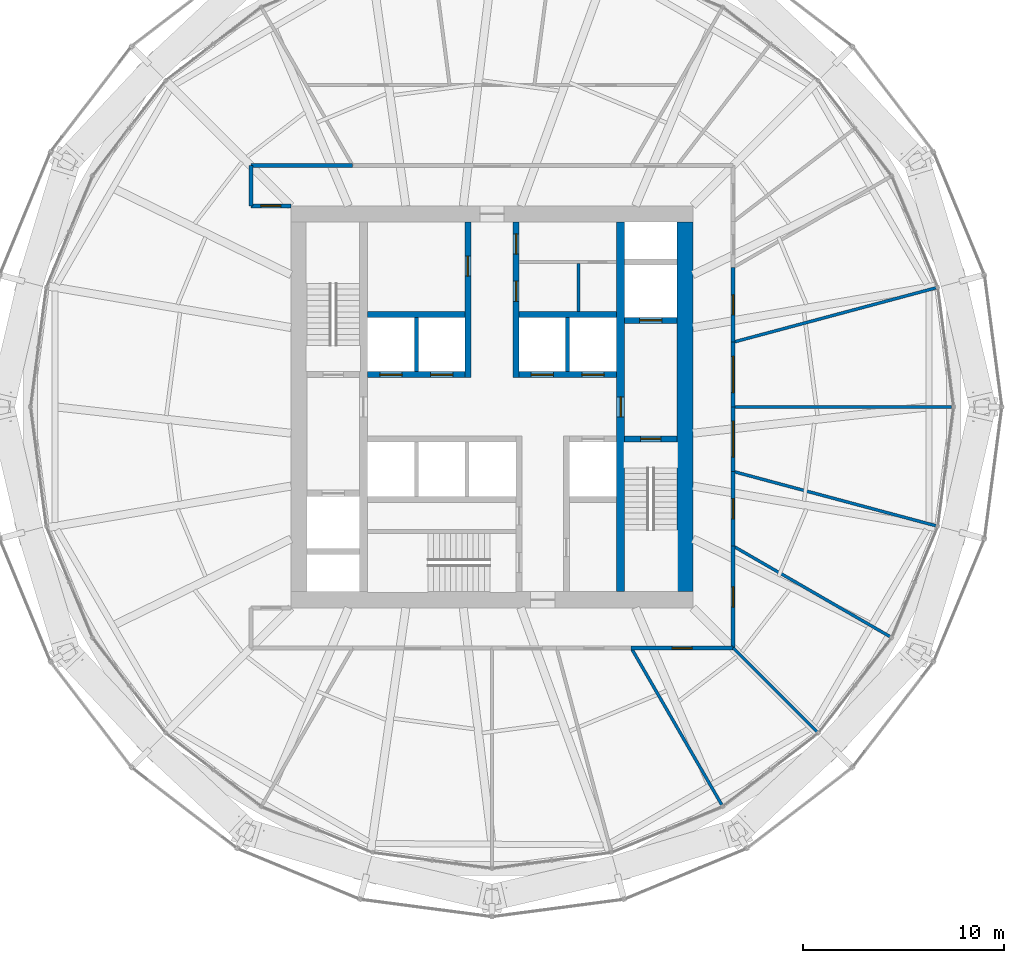
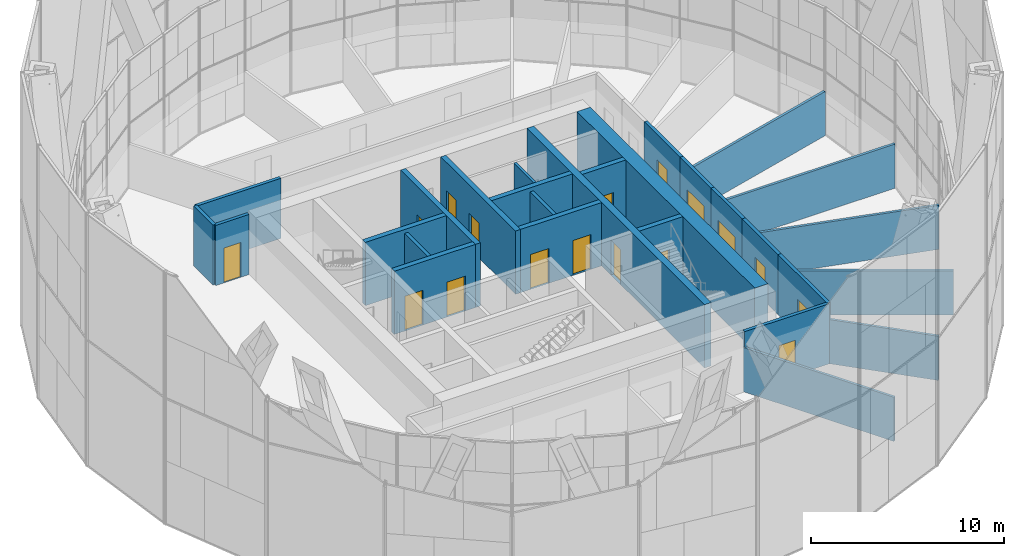
# One storey, part 20 of 22: 28 walls, 17 doors, 17 openings.
"""IFC4 building model written with IfcOpenShell, lengths in metres."""

import ifcopenshell
import ifcopenshell.guid

model = None  # the IFC model being written
_history = None  # IfcOwnerHistory: only IFC2X3 demands one
_inside = {}  # id of a spatial element -> (the spatial element, [elements in it])
_under = {}  # id of a project, library or spatial element -> (it, [spatial elements below it])
_declared = {}  # id of a project -> (the project, [libraries it declares])
_typed = {}  # id of a type object -> (the type object, [elements of that type])
_made_of = {}  # id of a material, layer set ... -> (it, [elements and type objects made of it])


def new_model(schema):
    """Start an empty IFC model of exactly this schema.

    Asked for "IFC4X3", IfcOpenShell would pick the latest addendum, in which some entities
    have other attributes; the version numbers below select the first issue.
    IFC2X3 requires an IfcOwnerHistory on every rooted entity: one is made here for all.
    """
    global model, _history
    if schema == "IFC4X3":
        model = ifcopenshell.file(schema_version=(4, 3, 0, 0))
    else:
        model = ifcopenshell.file(schema=schema)
    _inside.clear()
    _under.clear()
    _declared.clear()
    _typed.clear()
    _made_of.clear()
    _history = None
    if model.schema == "IFC2X3":
        org = make("IfcOrganization", Name="unknown")
        user = make(
            "IfcPersonAndOrganization",
            ThePerson=make("IfcPerson", FamilyName="unknown"),
            TheOrganization=org,
        )
        app = make(
            "IfcApplication",
            ApplicationDeveloper=org,
            Version="unknown",
            ApplicationFullName="unknown",
            ApplicationIdentifier="unknown",
        )
        _history = make(
            "IfcOwnerHistory",
            OwningUser=user,
            OwningApplication=app,
            ChangeAction="ADDED",
            CreationDate=0,
        )
    return model


def make(cls, **values):
    """One entity of the class cls with the attributes given. An attribute that is None is left unset."""
    return model.create_entity(
        cls, **{name: value for name, value in values.items() if value is not None}
    )


def rooted(cls, **values):
    """An entity with a GlobalId (a new one), such as an element, a storey or a relation."""
    return make(cls, GlobalId=ifcopenshell.guid.new(), OwnerHistory=_history, **values)


def si_unit(unit_type, name, prefix=None):
    """IfcSIUnit, for example si_unit("LENGTHUNIT", "METRE", prefix="MILLI")."""
    return make("IfcSIUnit", UnitType=unit_type, Prefix=prefix, Name=name)


def assignment(units):
    """IfcUnitAssignment: the units of a project."""
    return None if units is None else make("IfcUnitAssignment", Units=units)


def point(xyz):
    """IfcCartesianPoint."""
    return None if xyz is None else make("IfcCartesianPoint", Coordinates=xyz)


def direction(xyz):
    """IfcDirection."""
    return None if xyz is None else make("IfcDirection", DirectionRatios=xyz)


def frame(location, z_axis=None, x_axis=None):
    """IfcAxis2Placement3D, a coordinate frame: its origin and axes. An axis left out is left unset."""
    return make(
        "IfcAxis2Placement3D",
        Location=point(location),
        Axis=direction(z_axis),
        RefDirection=direction(x_axis),
    )


def frame_2d(location, x_axis=None):
    """IfcAxis2Placement2D, a coordinate frame in the plane: its origin and x axis."""
    return make(
        "IfcAxis2Placement2D", Location=point(location), RefDirection=direction(x_axis)
    )


def origin():
    """The frame at (0, 0, 0) with its axes left unset."""
    return frame((0.0, 0.0, 0.0))


def place(relative_to, where):
    """IfcLocalPlacement: puts the frame where relative to a parent placement (None: the world)."""
    return make(
        "IfcLocalPlacement", PlacementRelTo=relative_to, RelativePlacement=where
    )


def context(
    kind, dimensions, precision=None, world=None, true_north=None, identifier=None
):
    """IfcGeometricRepresentationContext, for example the 3D "Model" context."""
    return make(
        "IfcGeometricRepresentationContext",
        ContextIdentifier=identifier,
        ContextType=kind,
        CoordinateSpaceDimension=dimensions,
        Precision=precision,
        WorldCoordinateSystem=world,
        TrueNorth=true_north,
    )


def subcontext(parent, identifier, kind, view, scale=None):
    """IfcGeometricRepresentationSubContext, for example "Body" below "Model"."""
    return make(
        "IfcGeometricRepresentationSubContext",
        ContextIdentifier=identifier,
        ContextType=kind,
        ParentContext=parent,
        TargetScale=scale,
        TargetView=view,
    )


def project(units=None, contexts=None):
    """IfcProject with its units and contexts."""
    return rooted(
        "IfcProject",
        Name="project",
        RepresentationContexts=contexts,
        UnitsInContext=assignment(units),
    )


def spatial(cls, under=None, at=None, **own):
    """A site, building, storey or space (cls), placed at a placement, below another one or the project."""
    s = rooted(cls, ObjectPlacement=at, **own)
    if under is not None:
        _under.setdefault(under.id(), (under, []))[1].append(s)
    return s


def profile(cls, at=None, kind="AREA", **sizes):
    """A parametric profile (cls). Its sizes go by their IFC names, for example OverallWidth=200.0."""
    return make(cls, ProfileType=kind, Position=at, **sizes)


def rectangle(**sizes):
    """IfcRectangleProfileDef."""
    return profile("IfcRectangleProfileDef", **sizes)


def extrude(swept, where, along, depth):
    """IfcExtrudedAreaSolid: the profile swept, set in the frame where, extruded along a direction by depth."""
    return make(
        "IfcExtrudedAreaSolid",
        SweptArea=swept,
        Position=where,
        ExtrudedDirection=direction(along),
        Depth=depth,
    )


def shape(context_of_items, identifier, shape_type, items):
    """IfcShapeRepresentation: the items that make up one representation, for example the "Body"."""
    return make(
        "IfcShapeRepresentation",
        ContextOfItems=context_of_items,
        RepresentationIdentifier=identifier,
        RepresentationType=shape_type,
        Items=items,
    )


def material(Name=None, Category=None):
    """IfcMaterial."""
    return make("IfcMaterial", Name=Name, Category=Category)


def layer(
    of_material, thickness, ventilated=None, Name=None, Category=None, Priority=None
):
    """IfcMaterialLayer: one layer of a wall or slab, of a material (None: an air gap)."""
    return make(
        "IfcMaterialLayer",
        Material=of_material,
        LayerThickness=thickness,
        IsVentilated=ventilated,
        Name=Name,
        Category=Category,
        Priority=Priority,
    )


def layer_set(layers, Name=None):
    """IfcMaterialLayerSet."""
    return make("IfcMaterialLayerSet", MaterialLayers=layers, LayerSetName=Name)


def made_of(thing, what):
    """Note that an element or type object is made of a material, layer set ...; save() writes the relation."""
    if what is not None:
        _made_of.setdefault(what.id(), (what, []))[1].append(thing)
    return thing


def type_object(cls, material=None, **own):
    """A type object (cls), such as IfcWallType, which elements share."""
    return made_of(rooted(cls, **own), material)


def element(
    cls,
    number,
    at=None,
    inside=None,
    cuts=None,
    type_object=None,
    material=None,
    context=None,
    identifier="Body",
    shape_type=None,
    held_by="IfcProductDefinitionShape",
    body=None,
    shapes=None,
    **own,
):
    """One element of the class cls, such as IfcWall. Its Tag is "e" and its number.

    at: its placement. inside: the storey or other place that contains it. cuts: it is an
    opening in that element (IfcRelVoidsElement). A single representation is given by context,
    identifier, shape_type and body (its items); several are given by shapes. held_by: the class
    of the entity that holds the representations. save() writes the other relations.
    """
    e = rooted(cls, Tag="e%d" % number, ObjectPlacement=at, **own)
    if body is not None:
        shapes = [shape(context, identifier, shape_type, body)]
    if shapes is not None:
        e.Representation = make(held_by, Representations=shapes)
    if inside is not None:
        _inside.setdefault(inside.id(), (inside, []))[1].append(e)
    if cuts is not None:
        rooted(
            "IfcRelVoidsElement", RelatingBuildingElement=cuts, RelatedOpeningElement=e
        )
    if type_object is not None:
        _typed.setdefault(type_object.id(), (type_object, []))[1].append(e)
    return made_of(e, material)


def fill(opening, filler):
    """IfcRelFillsElement: the door or window that sits in an opening."""
    return rooted(
        "IfcRelFillsElement",
        RelatingOpeningElement=opening,
        RelatedBuildingElement=filler,
    )


def aggregate(whole, parts):
    """IfcRelAggregates: a whole, such as a stair, and the parts it consists of."""
    return rooted("IfcRelAggregates", RelatingObject=whole, RelatedObjects=parts)


def save(model, path):
    """Write the relations noted so far, then the file.

    IfcRelAggregates (storeys below a building ...), IfcRelContainedInSpatialStructure (elements
    in a storey), IfcRelDefinesByType, IfcRelAssociatesMaterial and IfcRelDeclares: one each for
    every whole, place, type object, material and project.
    """
    for whole, parts in _under.values():
        aggregate(whole, parts)
    for where, things in _inside.values():
        rooted(
            "IfcRelContainedInSpatialStructure",
            RelatedElements=things,
            RelatingStructure=where,
        )
    for kind, things in _typed.values():
        rooted("IfcRelDefinesByType", RelatedObjects=things, RelatingType=kind)
    for what, things in _made_of.values():
        rooted("IfcRelAssociatesMaterial", RelatedObjects=things, RelatingMaterial=what)
    for by, libraries in _declared.values():
        rooted("IfcRelDeclares", RelatingContext=by, RelatedDefinitions=libraries)
    model.write(path)


model = new_model("IFC4")

# Units and contexts
model_context = context("Model", 3, precision=1e-05, world=origin(), true_north=direction((0.0, 1.0)))
body_context = subcontext(model_context, "Body", "Model", "MODEL_VIEW")
ifc_project = project(units=[si_unit("LENGTHUNIT", "METRE"), si_unit("AREAUNIT", "SQUARE_METRE"), si_unit("VOLUMEUNIT", "CUBIC_METRE"), si_unit("PLANEANGLEUNIT", "RADIAN"), si_unit("MASSUNIT", "GRAM", prefix="KILO")], contexts=[model_context])

# Site, building, storey
site_placement = place(None, origin())
site = spatial("IfcSite", under=ifc_project, at=site_placement, CompositionType="ELEMENT")
building_placement = place(site_placement, origin())
building = spatial("IfcBuilding", under=site, at=building_placement, Name="Golbaran Civic Tower", CompositionType="ELEMENT")
storey_placement = place(building_placement, frame((0.0, 0.0, 37.0)))
storey = spatial("IfcBuildingStorey", under=building, at=storey_placement, Name="L08", CompositionType="ELEMENT", Elevation=37.0)

# Wall
ifc_material_1 = material(Name="Concrete block", Category="concrete")
ifc_layer_1 = layer(ifc_material_1, 0.14990234375, Name="Concrete block")
ifc_layer_set_1 = layer_set([ifc_layer_1], Name="Concrete block")
wall_type_1 = type_object("IfcWallType", Name="BLOCKWORK PARTITION 150", PredefinedType="PARTITIONING", material=ifc_layer_set_1)
wall_1_placement = place(storey_placement, frame((4.300048828125, 4.75, 0.0), z_axis=(0.0, 0.0, 1.0), x_axis=(0.0, 1.0, 0.0)))
element("IfcWall", 1, at=wall_1_placement, inside=storey, type_object=wall_type_1, Name="Toilet block partition TN2 L08", PredefinedType="PARTITIONING", context=body_context, shape_type="SweptSolid", body=[
    extrude(rectangle(XDim=2.375, YDim=0.14990234375, at=frame_2d((1.1875, 0.0))), origin(), (0.0, 0.0, 1.0), 3.75),
])

# Wall, opening, door
ifc_material_2 = material(Name="Concrete C50/60", Category="concrete")
ifc_layer_2 = layer(ifc_material_2, 0.39990234375, Name="Concrete C50/60")
ifc_layer_set_2 = layer_set([ifc_layer_2], Name="Concrete C50/60")
wall_type_2 = type_object("IfcWallType", Name="CORE WALL CONCRETE 400", PredefinedType="SOLIDWALL", material=ifc_layer_set_2)
wall_2_placement = place(storey_placement, frame((6.39990234375, 9.199951171875, 0.0), z_axis=(0.0, 0.0, 1.0), x_axis=(0.0, -1.0, 0.0)))
wall_2 = element("IfcWall", 2, at=wall_2_placement, inside=storey, type_object=wall_type_2, Name="Core wall IE L08", PredefinedType="SOLIDWALL", context=body_context, shape_type="SweptSolid", body=[
    extrude(rectangle(XDim=18.39990234375, YDim=0.39990234375, at=frame_2d((9.199951171875, 0.0))), origin(), (0.0, 0.0, 1.0), 4.0),
])
opening_1_placement = place(wall_2_placement, frame((8.699951171875, 0.0, 0.0)))
opening_1 = element("IfcOpeningElement", 3, at=opening_1_placement, cuts=wall_2, Name="Opening L08.FL2", PredefinedType="OPENING", context=body_context, shape_type="SweptSolid", body=[
    extrude(rectangle(XDim=1.0, YDim=2.199951171875, at=frame_2d((0.5, 1.10009765625))), frame((0.0, 0.2099609375, 0.0), z_axis=(0.0, -1.0, 0.0), x_axis=(1.0, 0.0, 0.0)), (0.0, 0.0, 1.0), 0.419921875),
])
ifc_material_3 = material(Name="Timber door set in steel frame", Category="steel")
door_type_1 = type_object("IfcDoorType", Name="STAIR DOOR 1000x2200", OperationType="SINGLE_SWING_LEFT", PredefinedType="DOOR", material=ifc_material_3)
door_1_placement = place(opening_1_placement, origin())
door_1 = element("IfcDoor", 4, at=door_1_placement, inside=storey, type_object=door_type_1, Name="Fire-fighting lobby FL2 door", OperationType="SINGLE_SWING_RIGHT", OverallHeight=2.199951171875, OverallWidth=1.0, PredefinedType="DOOR", context=body_context, shape_type="SweptSolid", body=[
    extrude(rectangle(XDim=1.0, YDim=2.199951171875, at=frame_2d((0.5, 1.10009765625))), frame((0.0, 0.02490234375, 0.0), z_axis=(0.0, -1.0, 0.0), x_axis=(1.0, 0.0, 0.0)), (0.0, 0.0, 1.0), 0.050048828125),
])
fill(opening_1, door_1)

# Wall
ifc_layer_3 = layer(ifc_material_2, 0.800048828125, Name="Concrete C50/60")
ifc_layer_set_3 = layer_set([ifc_layer_3], Name="Concrete C50/60")
wall_type_3 = type_object("IfcWallType", Name="CORE WALL CONCRETE 800", PredefinedType="SOLIDWALL", material=ifc_layer_set_3)
wall_3_placement = place(storey_placement, frame((9.60009765625, -9.199951171875, 0.0), z_axis=(0.0, 0.0, 1.0), x_axis=(0.0, 1.0, 0.0)))
element("IfcWall", 5, at=wall_3_placement, inside=storey, type_object=wall_type_3, Name="Core wall CE L08", PredefinedType="SOLIDWALL", context=body_context, shape_type="SweptSolid", body=[
    extrude(rectangle(XDim=18.39990234375, YDim=0.800048828125, at=frame_2d((9.199951171875, 0.0))), origin(), (0.0, 0.0, 1.0), 4.0),
])

# Wall, opening, door
ifc_material_4 = material(Name="Gypsum board on steel studs, fire-rated", Category="steel")
ifc_layer_4 = layer(ifc_material_4, 0.199951171875, Name="Gypsum board on steel studs, fire-rated")
ifc_layer_set_4 = layer_set([ifc_layer_4], Name="Gypsum board on steel studs, fire-rated")
wall_type_4 = type_object("IfcWallType", Name="CORRIDOR WALL 200", PredefinedType="PARTITIONING", material=ifc_layer_set_4)
wall_4_placement = place(storey_placement, frame((12.0, -6.92822265625, 0.0), z_axis=(0.0, 0.0, 1.0), x_axis=(0.0, 1.0, 0.0)))
wall_4 = element("IfcWall", 6, at=wall_4_placement, inside=storey, type_object=wall_type_4, Name="Corridor wall L08", PredefinedType="PARTITIONING", context=body_context, shape_type="SweptSolid", body=[
    extrude(rectangle(XDim=3.712890625, YDim=0.199951171875, at=frame_2d((1.8564453125, 0.0))), origin(), (0.0, 0.0, 1.0), 3.800048828125),
])
opening_2_placement = place(wall_4_placement, frame((1.3564453125, 0.0, 0.0)))
opening_2 = element("IfcOpeningElement", 7, at=opening_2_placement, cuts=wall_4, Name="Opening L08.04", PredefinedType="OPENING", context=body_context, shape_type="SweptSolid", body=[
    extrude(rectangle(XDim=1.0, YDim=2.199951171875, at=frame_2d((0.5, 1.10009765625))), frame((0.0, 0.10986328125, 0.0), z_axis=(0.0, -1.0, 0.0), x_axis=(1.0, 0.0, 0.0)), (0.0, 0.0, 1.0), 0.219970703125),
])
door_type_2 = type_object("IfcDoorType", Name="OFFICE DOOR 1000x2200", OperationType="SINGLE_SWING_LEFT", PredefinedType="DOOR", material=ifc_material_3)
door_2_placement = place(opening_2_placement, origin())
door_2 = element("IfcDoor", 8, at=door_2_placement, inside=storey, type_object=door_type_2, Name="Meeting Room door L08", OperationType="SINGLE_SWING_LEFT", OverallHeight=2.199951171875, OverallWidth=1.0, PredefinedType="DOOR", context=body_context, shape_type="SweptSolid", body=[
    extrude(rectangle(XDim=1.0, YDim=2.199951171875, at=frame_2d((0.5, 1.10009765625))), frame((0.0, 0.02490234375, 0.0), z_axis=(0.0, -1.0, 0.0), x_axis=(1.0, 0.0, 0.0)), (0.0, 0.0, 1.0), 0.050048828125),
])
fill(opening_2, door_2)

wall_5_placement = place(storey_placement, frame((12.0, -3.21533203125, 0.0), z_axis=(0.0, 0.0, 1.0), x_axis=(0.0, 1.0, 0.0)))
wall_5 = element("IfcWall", 9, at=wall_5_placement, inside=storey, type_object=wall_type_4, Name="Corridor wall L08", PredefinedType="PARTITIONING", context=body_context, shape_type="SweptSolid", body=[
    extrude(rectangle(XDim=3.21533203125, YDim=0.199951171875, at=frame_2d((1.607666015625, 0.0))), origin(), (0.0, 0.0, 1.0), 3.800048828125),
])
opening_3_placement = place(wall_5_placement, frame((0.707763671875, 0.0, 0.0)))
opening_3 = element("IfcOpeningElement", 10, at=opening_3_placement, cuts=wall_5, Name="Opening L08.05", PredefinedType="OPENING", context=body_context, shape_type="SweptSolid", body=[
    extrude(rectangle(XDim=1.800048828125, YDim=2.199951171875, at=frame_2d((0.89990234375, 1.10009765625))), frame((0.0, 0.10986328125, 0.0), z_axis=(0.0, -1.0, 0.0), x_axis=(1.0, 0.0, 0.0)), (0.0, 0.0, 1.0), 0.219970703125),
])
door_type_3 = type_object("IfcDoorType", Name="OFFICE DOUBLE DOOR 1800x2200", OperationType="DOUBLE_DOOR_SINGLE_SWING", PredefinedType="DOOR", material=ifc_material_3)
door_3_placement = place(opening_3_placement, origin())
door_3 = element("IfcDoor", 11, at=door_3_placement, inside=storey, type_object=door_type_3, Name="Registry Office door L08", OperationType="DOUBLE_DOOR_SINGLE_SWING", OverallHeight=2.199951171875, OverallWidth=1.800048828125, PredefinedType="DOOR", context=body_context, shape_type="SweptSolid", body=[
    extrude(rectangle(XDim=1.800048828125, YDim=2.199951171875, at=frame_2d((0.89990234375, 1.10009765625))), frame((0.0, 0.02490234375, 0.0), z_axis=(0.0, -1.0, 0.0), x_axis=(1.0, 0.0, 0.0)), (0.0, 0.0, 1.0), 0.050048828125),
])
fill(opening_3, door_3)

wall_6_placement = place(storey_placement, frame((12.0, 0.0, 0.0), z_axis=(0.0, 0.0, 1.0), x_axis=(0.0, 1.0, 0.0)))
wall_6 = element("IfcWall", 12, at=wall_6_placement, inside=storey, type_object=wall_type_4, Name="Corridor wall L08", PredefinedType="PARTITIONING", context=body_context, shape_type="SweptSolid", body=[
    extrude(rectangle(XDim=3.21533203125, YDim=0.199951171875, at=frame_2d((1.607666015625, 0.0))), origin(), (0.0, 0.0, 1.0), 3.800048828125),
])
opening_4_placement = place(wall_6_placement, frame((0.707763671875, 0.0, 0.0)))
opening_4 = element("IfcOpeningElement", 13, at=opening_4_placement, cuts=wall_6, Name="Opening L08.06", PredefinedType="OPENING", context=body_context, shape_type="SweptSolid", body=[
    extrude(rectangle(XDim=1.800048828125, YDim=2.199951171875, at=frame_2d((0.89990234375, 1.10009765625))), frame((0.0, 0.10986328125, 0.0), z_axis=(0.0, -1.0, 0.0), x_axis=(1.0, 0.0, 0.0)), (0.0, 0.0, 1.0), 0.219970703125),
])
door_4_placement = place(opening_4_placement, origin())
door_4 = element("IfcDoor", 14, at=door_4_placement, inside=storey, type_object=door_type_3, Name="Open Office door L08", OperationType="DOUBLE_DOOR_SINGLE_SWING", OverallHeight=2.199951171875, OverallWidth=1.800048828125, PredefinedType="DOOR", context=body_context, shape_type="SweptSolid", body=[
    extrude(rectangle(XDim=1.800048828125, YDim=2.199951171875, at=frame_2d((0.89990234375, 1.10009765625))), frame((0.0, 0.02490234375, 0.0), z_axis=(0.0, -1.0, 0.0), x_axis=(1.0, 0.0, 0.0)), (0.0, 0.0, 1.0), 0.050048828125),
])
fill(opening_4, door_4)

wall_7_placement = place(storey_placement, frame((12.0, 3.21533203125, 0.0), z_axis=(0.0, 0.0, 1.0), x_axis=(0.0, 1.0, 0.0)))
wall_7 = element("IfcWall", 15, at=wall_7_placement, inside=storey, type_object=wall_type_4, Name="Corridor wall L08", PredefinedType="PARTITIONING", context=body_context, shape_type="SweptSolid", body=[
    extrude(rectangle(XDim=3.712890625, YDim=0.199951171875, at=frame_2d((1.8564453125, 0.0))), origin(), (0.0, 0.0, 1.0), 3.800048828125),
])
opening_5_placement = place(wall_7_placement, frame((1.3564453125, 0.0, 0.0)))
opening_5 = element("IfcOpeningElement", 16, at=opening_5_placement, cuts=wall_7, Name="Opening L08.07", PredefinedType="OPENING", context=body_context, shape_type="SweptSolid", body=[
    extrude(rectangle(XDim=1.0, YDim=2.199951171875, at=frame_2d((0.5, 1.10009765625))), frame((0.0, 0.10986328125, 0.0), z_axis=(0.0, -1.0, 0.0), x_axis=(1.0, 0.0, 0.0)), (0.0, 0.0, 1.0), 0.219970703125),
])
door_5_placement = place(opening_5_placement, origin())
door_5 = element("IfcDoor", 17, at=door_5_placement, inside=storey, type_object=door_type_2, Name="File Room door L08", OperationType="SINGLE_SWING_LEFT", OverallHeight=2.199951171875, OverallWidth=1.0, PredefinedType="DOOR", context=body_context, shape_type="SweptSolid", body=[
    extrude(rectangle(XDim=1.0, YDim=2.199951171875, at=frame_2d((0.5, 1.10009765625))), frame((0.0, 0.02490234375, 0.0), z_axis=(0.0, -1.0, 0.0), x_axis=(1.0, 0.0, 0.0)), (0.0, 0.0, 1.0), 0.050048828125),
])
fill(opening_5, door_5)

# Walls
wall_8_placement = place(storey_placement, frame((-6.92822265625, 12.0, 0.0), z_axis=(0.0, 0.0, 1.0), x_axis=(-1.0, 0.0, 0.0)))
element("IfcWall", 18, at=wall_8_placement, inside=storey, type_object=wall_type_4, Name="Corridor wall L08", PredefinedType="PARTITIONING", context=body_context, shape_type="SweptSolid", body=[
    extrude(rectangle(XDim=5.07177734375, YDim=0.199951171875, at=frame_2d((2.535888671875, 0.0))), origin(), (0.0, 0.0, 1.0), 3.800048828125),
])
wall_9_placement = place(storey_placement, frame((-12.0, 12.0, 0.0), z_axis=(0.0, 0.0, 1.0), x_axis=(0.0, -1.0, 0.0)))
element("IfcWall", 19, at=wall_9_placement, inside=storey, type_object=wall_type_4, Name="Corridor wall L08", PredefinedType="PARTITIONING", context=body_context, shape_type="SweptSolid", body=[
    extrude(rectangle(XDim=2.0, YDim=0.199951171875, at=frame_2d((1.0, 0.0))), origin(), (0.0, 0.0, 1.0), 3.800048828125),
])

# Wall, opening, door
wall_10_placement = place(storey_placement, frame((6.92822265625, -12.0, 0.0), z_axis=(0.0, 0.0, 1.0), x_axis=(1.0, 0.0, 0.0)))
wall_10 = element("IfcWall", 20, at=wall_10_placement, inside=storey, type_object=wall_type_4, Name="Corridor wall L08", PredefinedType="PARTITIONING", context=body_context, shape_type="SweptSolid", body=[
    extrude(rectangle(XDim=5.07177734375, YDim=0.199951171875, at=frame_2d((2.535888671875, 0.0))), origin(), (0.0, 0.0, 1.0), 3.800048828125),
])
opening_6_placement = place(wall_10_placement, frame((2.035888671875, 0.0, 0.0)))
opening_6 = element("IfcOpeningElement", 21, at=opening_6_placement, cuts=wall_10, Name="Opening L08.15", PredefinedType="OPENING", context=body_context, shape_type="SweptSolid", body=[
    extrude(rectangle(XDim=1.0, YDim=2.199951171875, at=frame_2d((0.5, 1.10009765625))), frame((0.0, 0.10986328125, 0.0), z_axis=(0.0, -1.0, 0.0), x_axis=(1.0, 0.0, 0.0)), (0.0, 0.0, 1.0), 0.219970703125),
])
door_6_placement = place(opening_6_placement, origin())
door_6 = element("IfcDoor", 22, at=door_6_placement, inside=storey, type_object=door_type_2, Name="Project Room door L08", OperationType="SINGLE_SWING_LEFT", OverallHeight=2.199951171875, OverallWidth=1.0, PredefinedType="DOOR", context=body_context, shape_type="SweptSolid", body=[
    extrude(rectangle(XDim=1.0, YDim=2.199951171875, at=frame_2d((0.5, 1.10009765625))), frame((0.0, 0.02490234375, 0.0), z_axis=(0.0, -1.0, 0.0), x_axis=(1.0, 0.0, 0.0)), (0.0, 0.0, 1.0), 0.050048828125),
])
fill(opening_6, door_6)

wall_11_placement = place(storey_placement, frame((12.0, -12.0, 0.0), z_axis=(0.0, 0.0, 1.0), x_axis=(0.0, 1.0, 0.0)))
wall_11 = element("IfcWall", 23, at=wall_11_placement, inside=storey, type_object=wall_type_4, Name="Corridor wall L08", PredefinedType="PARTITIONING", context=body_context, shape_type="SweptSolid", body=[
    extrude(rectangle(XDim=5.07177734375, YDim=0.199951171875, at=frame_2d((2.535888671875, 0.0))), origin(), (0.0, 0.0, 1.0), 3.800048828125),
])
opening_7_placement = place(wall_11_placement, frame((2.035888671875, 0.0, 0.0)))
opening_7 = element("IfcOpeningElement", 24, at=opening_7_placement, cuts=wall_11, Name="Opening L08.16", PredefinedType="OPENING", context=body_context, shape_type="SweptSolid", body=[
    extrude(rectangle(XDim=1.0, YDim=2.199951171875, at=frame_2d((0.5, 1.10009765625))), frame((0.0, 0.10986328125, 0.0), z_axis=(0.0, -1.0, 0.0), x_axis=(1.0, 0.0, 0.0)), (0.0, 0.0, 1.0), 0.219970703125),
])
door_7_placement = place(opening_7_placement, origin())
door_7 = element("IfcDoor", 25, at=door_7_placement, inside=storey, type_object=door_type_2, Name="Interview Room door L08", OperationType="SINGLE_SWING_LEFT", OverallHeight=2.199951171875, OverallWidth=1.0, PredefinedType="DOOR", context=body_context, shape_type="SweptSolid", body=[
    extrude(rectangle(XDim=1.0, YDim=2.199951171875, at=frame_2d((0.5, 1.10009765625))), frame((0.0, 0.02490234375, 0.0), z_axis=(0.0, -1.0, 0.0), x_axis=(1.0, 0.0, 0.0)), (0.0, 0.0, 1.0), 0.050048828125),
])
fill(opening_7, door_7)

wall_12_placement = place(storey_placement, frame((-10.0, 10.0, 0.0), z_axis=(0.0, 0.0, 1.0), x_axis=(-1.0, 0.0, 0.0)))
wall_12 = element("IfcWall", 26, at=wall_12_placement, inside=storey, type_object=wall_type_4, Name="Corridor end wall L08", PredefinedType="PARTITIONING", context=body_context, shape_type="SweptSolid", body=[
    extrude(rectangle(XDim=2.0, YDim=0.199951171875, at=frame_2d((1.0, 0.0))), origin(), (0.0, 0.0, 1.0), 3.800048828125),
])
opening_8_placement = place(wall_12_placement, frame((0.5, 0.0, 0.0)))
opening_8 = element("IfcOpeningElement", 27, at=opening_8_placement, cuts=wall_12, Name="Opening L08.18", PredefinedType="OPENING", context=body_context, shape_type="SweptSolid", body=[
    extrude(rectangle(XDim=1.0, YDim=2.199951171875, at=frame_2d((0.5, 1.10009765625))), frame((0.0, 0.10986328125, 0.0), z_axis=(0.0, -1.0, 0.0), x_axis=(1.0, 0.0, 0.0)), (0.0, 0.0, 1.0), 0.219970703125),
])
door_8_placement = place(opening_8_placement, origin())
door_8 = element("IfcDoor", 28, at=door_8_placement, inside=storey, type_object=door_type_2, Name="Open Office door L08", OperationType="SINGLE_SWING_RIGHT", OverallHeight=2.199951171875, OverallWidth=1.0, PredefinedType="DOOR", context=body_context, shape_type="SweptSolid", body=[
    extrude(rectangle(XDim=1.0, YDim=2.199951171875, at=frame_2d((0.5, 1.10009765625))), frame((0.0, 0.02490234375, 0.0), z_axis=(0.0, -1.0, 0.0), x_axis=(1.0, 0.0, 0.0)), (0.0, 0.0, 1.0), 0.050048828125),
])
fill(opening_8, door_8)

# Walls
ifc_layer_5 = layer(ifc_material_1, 0.199951171875, Name="Concrete block")
ifc_layer_set_5 = layer_set([ifc_layer_5], Name="Concrete block")
wall_type_5 = type_object("IfcWallType", Name="LIFT SEPARATOR WALL 200", PredefinedType="SOLIDWALL", material=ifc_layer_set_5)
for number, where, z_axis, x_axis, name in (
    (29, (-3.75, 1.75, 0.0), (0.0, 0.0, 1.0), (0.0, 1.0, 0.0), "Core partition SNW L08"),
    (30, (3.75, 1.75, 0.0), (0.0, 0.0, 1.0), (0.0, 1.0, 0.0), "Core partition SNE L08"),
):
    element("IfcWall", number, at=place(storey_placement, frame(where, z_axis=z_axis, x_axis=x_axis)), inside=storey, type_object=wall_type_5, Name=name, PredefinedType="SOLIDWALL", context=body_context, shape_type="SweptSolid", body=[
        extrude(rectangle(XDim=2.699951171875, YDim=0.199951171875, at=frame_2d((1.35009765625, 0.0))), origin(), (0.0, 0.0, 1.0), 3.75),
    ])
ifc_material_5 = material(Name="Gypsum board on steel studs", Category="steel")
ifc_layer_6 = layer(ifc_material_5, 0.14990234375, Name="Gypsum board on steel studs")
ifc_layer_set_6 = layer_set([ifc_layer_6], Name="Gypsum board on steel studs")
wall_type_6 = type_object("IfcWallType", Name="OFFICE PARTITION 150", PredefinedType="PARTITIONING", material=ifc_layer_set_6)
wall_13_placement = place(storey_placement, frame((12.0, -6.92822265625, 0.0), z_axis=(0.0, 0.0, 1.0), x_axis=(0.866027720199, -0.49999598783, 0.0)))
element("IfcWall", 31, at=wall_13_placement, inside=storey, type_object=wall_type_6, Name="Partition 330 L08", PredefinedType="PARTITIONING", context=body_context, shape_type="SweptSolid", body=[
    extrude(rectangle(XDim=9.013671875, YDim=0.14990234375, at=frame_2d((4.5068359375, 0.0))), origin(), (0.0, 0.0, 1.0), 2.7900390625),
])
wall_14_placement = place(storey_placement, frame((12.0, -3.21533203125, 0.0), z_axis=(0.0, 0.0, 1.0), x_axis=(0.965925101944, -0.25882174838, 0.0)))
element("IfcWall", 32, at=wall_14_placement, inside=storey, type_object=wall_type_6, Name="Partition 345 L08", PredefinedType="PARTITIONING", context=body_context, shape_type="SweptSolid", body=[
    extrude(rectangle(XDim=10.44677734375, YDim=0.14990234375, at=frame_2d((5.223388671875, 0.0))), origin(), (0.0, 0.0, 1.0), 2.7900390625),
])
wall_15_placement = place(storey_placement, frame((12.0, 0.0, 0.0), z_axis=(0.0, 0.0, 1.0), x_axis=(1.0, 0.0, 0.0)))
element("IfcWall", 33, at=wall_15_placement, inside=storey, type_object=wall_type_6, Name="Partition 0 L08", PredefinedType="PARTITIONING", context=body_context, shape_type="SweptSolid", body=[
    extrude(rectangle(XDim=10.8701171875, YDim=0.14990234375, at=frame_2d((5.43505859375, 0.0))), origin(), (0.0, 0.0, 1.0), 2.7900390625),
])
wall_16_placement = place(storey_placement, frame((12.0, 3.21533203125, 0.0), z_axis=(0.0, 0.0, 1.0), x_axis=(0.965925101944, 0.25882174838, 0.0)))
element("IfcWall", 34, at=wall_16_placement, inside=storey, type_object=wall_type_6, Name="Partition 15 L08", PredefinedType="PARTITIONING", context=body_context, shape_type="SweptSolid", body=[
    extrude(rectangle(XDim=10.44677734375, YDim=0.14990234375, at=frame_2d((5.223388671875, 0.0))), origin(), (0.0, 0.0, 1.0), 2.7900390625),
])
wall_17_placement = place(storey_placement, frame((6.92822265625, -12.0, 0.0), z_axis=(0.0, 0.0, 1.0), x_axis=(0.49999598783, -0.866027720199, 0.0)))
element("IfcWall", 35, at=wall_17_placement, inside=storey, type_object=wall_type_6, Name="Partition 300 L08", PredefinedType="PARTITIONING", context=body_context, shape_type="SweptSolid", body=[
    extrude(rectangle(XDim=9.013671875, YDim=0.14990234375, at=frame_2d((4.5068359375, 0.0))), origin(), (0.0, 0.0, 1.0), 2.7900390625),
])
wall_18_placement = place(storey_placement, frame((12.0, -12.0, 0.0), z_axis=(0.0, 0.0, 1.0), x_axis=(0.707106781187, -0.707106781187, 0.0)))
element("IfcWall", 36, at=wall_18_placement, inside=storey, type_object=wall_type_6, Name="Partition 315 L08", PredefinedType="PARTITIONING", context=body_context, shape_type="SweptSolid", body=[
    extrude(rectangle(XDim=5.899658203125, YDim=0.14990234375, at=frame_2d((2.94970703125, 0.0))), origin(), (0.0, 0.0, 1.0), 2.7900390625),
])

# Wall, openings, doors
ifc_layer_7 = layer(ifc_material_2, 0.300048828125, Name="Concrete C50/60")
ifc_layer_set_7 = layer_set([ifc_layer_7], Name="Concrete C50/60")
wall_type_7 = type_object("IfcWallType", Name="SHAFT WALL CONCRETE 300", PredefinedType="SOLIDWALL", material=ifc_layer_set_7)
wall_19_placement = place(storey_placement, frame((-6.199951171875, 1.60009765625, 0.0), z_axis=(0.0, 0.0, 1.0), x_axis=(1.0, 0.0, 0.0)))
wall_19 = element("IfcWall", 37, at=wall_19_placement, inside=storey, type_object=wall_type_7, Name="Core wall FNW L08", PredefinedType="SOLIDWALL", context=body_context, shape_type="SweptSolid", body=[
    extrude(rectangle(XDim=4.849853515625, YDim=0.300048828125, at=frame_2d((2.4248046875, 0.0))), origin(), (0.0, 0.0, 1.0), 4.0),
])
opening_9_placement = place(wall_19_placement, frame((0.625, 0.0, 0.0)))
opening_9 = element("IfcOpeningElement", 38, at=opening_9_placement, cuts=wall_19, Name="Opening L08.LD-Z1L", PredefinedType="OPENING", context=body_context, shape_type="SweptSolid", body=[
    extrude(rectangle(XDim=1.10009765625, YDim=2.199951171875, at=frame_2d((0.550048828125, 1.10009765625))), frame((0.0, 0.159912109375, 0.0), z_axis=(0.0, -1.0, 0.0), x_axis=(1.0, 0.0, 0.0)), (0.0, 0.0, 1.0), 0.320068359375),
])
opening_10_placement = place(wall_19_placement, frame((3.14990234375, 0.0, 0.0)))
opening_10 = element("IfcOpeningElement", 39, at=opening_10_placement, cuts=wall_19, Name="Opening L08.LD-Z2L", PredefinedType="OPENING", context=body_context, shape_type="SweptSolid", body=[
    extrude(rectangle(XDim=1.10009765625, YDim=2.199951171875, at=frame_2d((0.550048828125, 1.10009765625))), frame((0.0, 0.159912109375, 0.0), z_axis=(0.0, -1.0, 0.0), x_axis=(1.0, 0.0, 0.0)), (0.0, 0.0, 1.0), 0.320068359375),
])
ifc_material_6 = material(Name="Stainless steel", Category="steel")
door_type_4 = type_object("IfcDoorType", Name="LIFT LANDING DOOR 1100x2200", OperationType="SLIDING_TO_LEFT", PredefinedType="DOOR", material=ifc_material_6)
door_9_placement = place(opening_9_placement, origin())
door_9 = element("IfcDoor", 40, at=door_9_placement, inside=storey, type_object=door_type_4, Name="Lift landing door Z1L", OperationType="SLIDING_TO_LEFT", OverallHeight=2.199951171875, OverallWidth=1.10009765625, PredefinedType="DOOR", context=body_context, shape_type="SweptSolid", body=[
    extrude(rectangle(XDim=1.10009765625, YDim=2.199951171875, at=frame_2d((0.550048828125, 1.10009765625))), frame((0.0, 0.02490234375, 0.0), z_axis=(0.0, -1.0, 0.0), x_axis=(1.0, 0.0, 0.0)), (0.0, 0.0, 1.0), 0.050048828125),
])
fill(opening_9, door_9)
door_10_placement = place(opening_10_placement, origin())
door_10 = element("IfcDoor", 41, at=door_10_placement, inside=storey, type_object=door_type_4, Name="Lift landing door Z2L", OperationType="SLIDING_TO_LEFT", OverallHeight=2.199951171875, OverallWidth=1.10009765625, PredefinedType="DOOR", context=body_context, shape_type="SweptSolid", body=[
    extrude(rectangle(XDim=1.10009765625, YDim=2.199951171875, at=frame_2d((0.550048828125, 1.10009765625))), frame((0.0, 0.02490234375, 0.0), z_axis=(0.0, -1.0, 0.0), x_axis=(1.0, 0.0, 0.0)), (0.0, 0.0, 1.0), 0.050048828125),
])
fill(opening_10, door_10)

wall_20_placement = place(storey_placement, frame((1.35009765625, 1.60009765625, 0.0), z_axis=(0.0, 0.0, 1.0), x_axis=(1.0, 0.0, 0.0)))
wall_20 = element("IfcWall", 42, at=wall_20_placement, inside=storey, type_object=wall_type_7, Name="Core wall FNE L08", PredefinedType="SOLIDWALL", context=body_context, shape_type="SweptSolid", body=[
    extrude(rectangle(XDim=4.849853515625, YDim=0.300048828125, at=frame_2d((2.4248046875, 0.0))), origin(), (0.0, 0.0, 1.0), 4.0),
])
opening_11_placement = place(wall_20_placement, frame((0.60009765625, 0.0, 0.0)))
opening_11 = element("IfcOpeningElement", 43, at=opening_11_placement, cuts=wall_20, Name="Opening L08.LD-Z3L", PredefinedType="OPENING", context=body_context, shape_type="SweptSolid", body=[
    extrude(rectangle(XDim=1.10009765625, YDim=2.199951171875, at=frame_2d((0.550048828125, 1.10009765625))), frame((0.0, 0.159912109375, 0.0), z_axis=(0.0, -1.0, 0.0), x_axis=(1.0, 0.0, 0.0)), (0.0, 0.0, 1.0), 0.320068359375),
])
opening_12_placement = place(wall_20_placement, frame((3.125, 0.0, 0.0)))
opening_12 = element("IfcOpeningElement", 44, at=opening_12_placement, cuts=wall_20, Name="Opening L08.LD-Z4L", PredefinedType="OPENING", context=body_context, shape_type="SweptSolid", body=[
    extrude(rectangle(XDim=1.10009765625, YDim=2.199951171875, at=frame_2d((0.550048828125, 1.10009765625))), frame((0.0, 0.159912109375, 0.0), z_axis=(0.0, -1.0, 0.0), x_axis=(1.0, 0.0, 0.0)), (0.0, 0.0, 1.0), 0.320068359375),
])
door_11_placement = place(opening_11_placement, origin())
door_11 = element("IfcDoor", 45, at=door_11_placement, inside=storey, type_object=door_type_4, Name="Lift landing door Z3L", OperationType="SLIDING_TO_LEFT", OverallHeight=2.199951171875, OverallWidth=1.10009765625, PredefinedType="DOOR", context=body_context, shape_type="SweptSolid", body=[
    extrude(rectangle(XDim=1.10009765625, YDim=2.199951171875, at=frame_2d((0.550048828125, 1.10009765625))), frame((0.0, 0.02490234375, 0.0), z_axis=(0.0, -1.0, 0.0), x_axis=(1.0, 0.0, 0.0)), (0.0, 0.0, 1.0), 0.050048828125),
])
fill(opening_11, door_11)
door_12_placement = place(opening_12_placement, origin())
door_12 = element("IfcDoor", 46, at=door_12_placement, inside=storey, type_object=door_type_4, Name="Lift landing door Z4L", OperationType="SLIDING_TO_LEFT", OverallHeight=2.199951171875, OverallWidth=1.10009765625, PredefinedType="DOOR", context=body_context, shape_type="SweptSolid", body=[
    extrude(rectangle(XDim=1.10009765625, YDim=2.199951171875, at=frame_2d((0.550048828125, 1.10009765625))), frame((0.0, 0.02490234375, 0.0), z_axis=(0.0, -1.0, 0.0), x_axis=(1.0, 0.0, 0.0)), (0.0, 0.0, 1.0), 0.050048828125),
])
fill(opening_12, door_12)

# Walls
for number, where, z_axis, x_axis, name in (
    (47, (-6.199951171875, 4.60009765625, 0.0), (0.0, 0.0, 1.0), (1.0, 0.0, 0.0), "Core wall BNW L08"),
    (48, (1.35009765625, 4.60009765625, 0.0), (0.0, 0.0, 1.0), (1.0, 0.0, 0.0), "Core wall BNE L08"),
):
    element("IfcWall", number, at=place(storey_placement, frame(where, z_axis=z_axis, x_axis=x_axis)), inside=storey, type_object=wall_type_7, Name=name, PredefinedType="SOLIDWALL", context=body_context, shape_type="SweptSolid", body=[
        extrude(rectangle(XDim=4.849853515625, YDim=0.300048828125, at=frame_2d((2.4248046875, 0.0))), origin(), (0.0, 0.0, 1.0), 4.0),
    ])

# Wall, opening, door
wall_21_placement = place(storey_placement, frame((-1.199951171875, 1.449951171875, 0.0), z_axis=(0.0, 0.0, 1.0), x_axis=(0.0, 1.0, 0.0)))
wall_21 = element("IfcWall", 49, at=wall_21_placement, inside=storey, type_object=wall_type_7, Name="Core wall PNW L08", PredefinedType="SOLIDWALL", context=body_context, shape_type="SweptSolid", body=[
    extrude(rectangle(XDim=7.75, YDim=0.300048828125, at=frame_2d((3.875, 0.0))), origin(), (0.0, 0.0, 1.0), 4.0),
])
opening_13_placement = place(wall_21_placement, frame((5.050048828125, 0.0, 0.0)))
opening_13 = element("IfcOpeningElement", 50, at=opening_13_placement, cuts=wall_21, Name="Opening L08.WCM", PredefinedType="OPENING", context=body_context, shape_type="SweptSolid", body=[
    extrude(rectangle(XDim=1.0, YDim=2.199951171875, at=frame_2d((0.5, 1.10009765625))), frame((0.0, 0.159912109375, 0.0), z_axis=(0.0, -1.0, 0.0), x_axis=(1.0, 0.0, 0.0)), (0.0, 0.0, 1.0), 0.320068359375),
])
door_type_5 = type_object("IfcDoorType", Name="TOILET DOOR 1000x2200", OperationType="SINGLE_SWING_LEFT", PredefinedType="DOOR", material=ifc_material_3)
door_13_placement = place(opening_13_placement, origin())
door_13 = element("IfcDoor", 51, at=door_13_placement, inside=storey, type_object=door_type_5, Name="North-west toilet block door", OperationType="SINGLE_SWING_RIGHT", OverallHeight=2.199951171875, OverallWidth=1.0, PredefinedType="DOOR", context=body_context, shape_type="SweptSolid", body=[
    extrude(rectangle(XDim=1.0, YDim=2.199951171875, at=frame_2d((0.5, 1.10009765625))), frame((0.0, 0.02490234375, 0.0), z_axis=(0.0, -1.0, 0.0), x_axis=(1.0, 0.0, 0.0)), (0.0, 0.0, 1.0), 0.050048828125),
])
fill(opening_13, door_13)

# Wall, openings, doors
wall_22_placement = place(storey_placement, frame((1.199951171875, 1.449951171875, 0.0), z_axis=(0.0, 0.0, 1.0), x_axis=(0.0, 1.0, 0.0)))
wall_22 = element("IfcWall", 52, at=wall_22_placement, inside=storey, type_object=wall_type_7, Name="Core wall PNE L08", PredefinedType="SOLIDWALL", context=body_context, shape_type="SweptSolid", body=[
    extrude(rectangle(XDim=7.75, YDim=0.300048828125, at=frame_2d((3.875, 0.0))), origin(), (0.0, 0.0, 1.0), 4.0),
])
opening_14_placement = place(wall_22_placement, frame((3.800048828125, 0.0, 0.0)))
opening_14 = element("IfcOpeningElement", 53, at=opening_14_placement, cuts=wall_22, Name="Opening L08.WCA", PredefinedType="OPENING", context=body_context, shape_type="SweptSolid", body=[
    extrude(rectangle(XDim=1.0, YDim=2.199951171875, at=frame_2d((0.5, 1.10009765625))), frame((0.0, 0.159912109375, 0.0), z_axis=(0.0, -1.0, 0.0), x_axis=(1.0, 0.0, 0.0)), (0.0, 0.0, 1.0), 0.320068359375),
])
opening_15_placement = place(wall_22_placement, frame((6.14990234375, 0.0, 0.0)))
opening_15 = element("IfcOpeningElement", 54, at=opening_15_placement, cuts=wall_22, Name="Opening L08.WCF", PredefinedType="OPENING", context=body_context, shape_type="SweptSolid", body=[
    extrude(rectangle(XDim=1.0, YDim=2.199951171875, at=frame_2d((0.5, 1.10009765625))), frame((0.0, 0.159912109375, 0.0), z_axis=(0.0, -1.0, 0.0), x_axis=(1.0, 0.0, 0.0)), (0.0, 0.0, 1.0), 0.320068359375),
])
door_14_placement = place(opening_14_placement, origin())
door_14 = element("IfcDoor", 55, at=door_14_placement, inside=storey, type_object=door_type_5, Name="Accessible WC door", OperationType="SINGLE_SWING_RIGHT", OverallHeight=2.199951171875, OverallWidth=1.0, PredefinedType="DOOR", context=body_context, shape_type="SweptSolid", body=[
    extrude(rectangle(XDim=1.0, YDim=2.199951171875, at=frame_2d((0.5, 1.10009765625))), frame((0.0, 0.02490234375, 0.0), z_axis=(0.0, -1.0, 0.0), x_axis=(1.0, 0.0, 0.0)), (0.0, 0.0, 1.0), 0.050048828125),
])
fill(opening_14, door_14)
door_15_placement = place(opening_15_placement, origin())
door_15 = element("IfcDoor", 56, at=door_15_placement, inside=storey, type_object=door_type_5, Name="North-east toilet block door", OperationType="SINGLE_SWING_RIGHT", OverallHeight=2.199951171875, OverallWidth=1.0, PredefinedType="DOOR", context=body_context, shape_type="SweptSolid", body=[
    extrude(rectangle(XDim=1.0, YDim=2.199951171875, at=frame_2d((0.5, 1.10009765625))), frame((0.0, 0.02490234375, 0.0), z_axis=(0.0, -1.0, 0.0), x_axis=(1.0, 0.0, 0.0)), (0.0, 0.0, 1.0), 0.050048828125),
])
fill(opening_15, door_15)

# Wall, opening, door
wall_23_placement = place(storey_placement, frame((6.60009765625, -1.60009765625, 0.0), z_axis=(0.0, 0.0, 1.0), x_axis=(1.0, 0.0, 0.0)))
wall_23 = element("IfcWall", 57, at=wall_23_placement, inside=storey, type_object=wall_type_7, Name="Core wall XE1 L08", PredefinedType="SOLIDWALL", context=body_context, shape_type="SweptSolid", body=[
    extrude(rectangle(XDim=2.599853515625, YDim=0.300048828125, at=frame_2d((1.2998046875, 0.0))), origin(), (0.0, 0.0, 1.0), 4.0),
])
opening_16_placement = place(wall_23_placement, frame((0.800048828125, 0.0, 0.0)))
opening_16 = element("IfcOpeningElement", 58, at=opening_16_placement, cuts=wall_23, Name="Opening L08.S2", PredefinedType="OPENING", context=body_context, shape_type="SweptSolid", body=[
    extrude(rectangle(XDim=1.0, YDim=2.199951171875, at=frame_2d((0.5, 1.10009765625))), frame((0.0, 0.159912109375, 0.0), z_axis=(0.0, -1.0, 0.0), x_axis=(1.0, 0.0, 0.0)), (0.0, 0.0, 1.0), 0.320068359375),
])
door_16_placement = place(opening_16_placement, origin())
door_16 = element("IfcDoor", 59, at=door_16_placement, inside=storey, type_object=door_type_1, Name="Stair S2 door", OperationType="SINGLE_SWING_LEFT", OverallHeight=2.199951171875, OverallWidth=1.0, PredefinedType="DOOR", context=body_context, shape_type="SweptSolid", body=[
    extrude(rectangle(XDim=1.0, YDim=2.199951171875, at=frame_2d((0.5, 1.10009765625))), frame((0.0, 0.02490234375, 0.0), z_axis=(0.0, -1.0, 0.0), x_axis=(1.0, 0.0, 0.0)), (0.0, 0.0, 1.0), 0.050048828125),
])
fill(opening_16, door_16)

wall_24_placement = place(storey_placement, frame((6.60009765625, 4.300048828125, 0.0), z_axis=(0.0, 0.0, 1.0), x_axis=(1.0, 0.0, 0.0)))
wall_24 = element("IfcWall", 60, at=wall_24_placement, inside=storey, type_object=wall_type_7, Name="Core wall XE2 L08", PredefinedType="SOLIDWALL", context=body_context, shape_type="SweptSolid", body=[
    extrude(rectangle(XDim=2.599853515625, YDim=0.300048828125, at=frame_2d((1.2998046875, 0.0))), origin(), (0.0, 0.0, 1.0), 4.0),
])
opening_17_placement = place(wall_24_placement, frame((0.75, 0.0, 0.0)))
opening_17 = element("IfcOpeningElement", 61, at=opening_17_placement, cuts=wall_24, Name="Opening L08.LD-F2", PredefinedType="OPENING", context=body_context, shape_type="SweptSolid", body=[
    extrude(rectangle(XDim=1.10009765625, YDim=2.199951171875, at=frame_2d((0.550048828125, 1.10009765625))), frame((0.0, 0.159912109375, 0.0), z_axis=(0.0, -1.0, 0.0), x_axis=(1.0, 0.0, 0.0)), (0.0, 0.0, 1.0), 0.320068359375),
])
door_17_placement = place(opening_17_placement, origin())
door_17 = element("IfcDoor", 62, at=door_17_placement, inside=storey, type_object=door_type_4, Name="Lift landing door F2", OperationType="SLIDING_TO_LEFT", OverallHeight=2.199951171875, OverallWidth=1.10009765625, PredefinedType="DOOR", context=body_context, shape_type="SweptSolid", body=[
    extrude(rectangle(XDim=1.10009765625, YDim=2.199951171875, at=frame_2d((0.550048828125, 1.10009765625))), frame((0.0, 0.02490234375, 0.0), z_axis=(0.0, -1.0, 0.0), x_axis=(1.0, 0.0, 0.0)), (0.0, 0.0, 1.0), 0.050048828125),
])
fill(opening_17, door_17)

save(model, "model.ifc")
